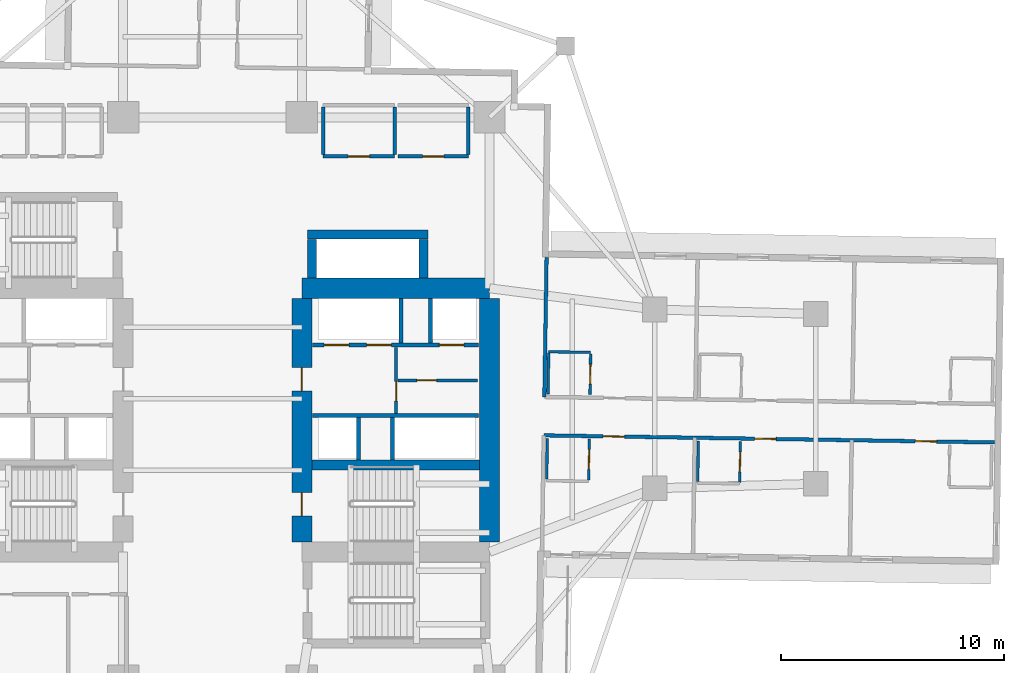
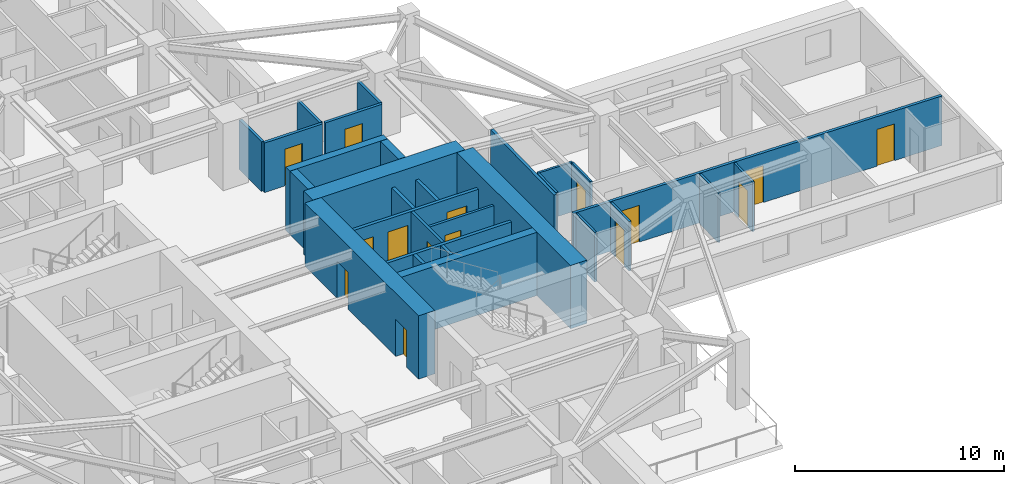
# One storey, part 6 of 13: 29 walls, 15 doors, 15 openings.
"""IFC4 building model written with IfcOpenShell, lengths in metres."""

from ifc_helpers import new_model, si_unit, direction, frame, frame_2d, origin, place, context, subcontext, project, spatial, rectangle, extrude, material, layer, layer_set, type_object, element, fill, save


model = new_model("IFC4")

# Units and contexts
model_context = context("Model", 3, precision=1e-05, world=origin(), true_north=direction((0.0, 1.0)))
body_context = subcontext(model_context, "Body", "Model", "MODEL_VIEW")
ifc_project = project(units=[si_unit("LENGTHUNIT", "METRE"), si_unit("AREAUNIT", "SQUARE_METRE"), si_unit("VOLUMEUNIT", "CUBIC_METRE"), si_unit("PLANEANGLEUNIT", "RADIAN"), si_unit("MASSUNIT", "GRAM", prefix="KILO")], contexts=[model_context])

# Site, building, storey
site_placement = place(None, origin())
site = spatial("IfcSite", under=ifc_project, at=site_placement, CompositionType="ELEMENT")
building_placement = place(site_placement, origin())
building = spatial("IfcBuilding", under=site, at=building_placement, Name="Qingluan Cross Belvedere", CompositionType="ELEMENT")
storey_placement = place(building_placement, frame((0.0, 0.0, 67.800048828125)))
storey = spatial("IfcBuildingStorey", under=building, at=storey_placement, Name="L17", CompositionType="ELEMENT", Elevation=67.800048828125)

# Walls
ifc_material_1 = material(Name="Concrete C50", Category="concrete")
ifc_layer_1 = layer(ifc_material_1, 0.449951171875, Name="CoreShearWall_450")
ifc_layer_set_1 = layer_set([ifc_layer_1], Name="Concrete C50")
wall_type_1 = type_object("IfcWallType", Name="CoreShearWall_450", PredefinedType="SHEAR", material=ifc_layer_set_1)
wall_1_placement = place(storey_placement, frame((4.455078125, -2.9599609375, 0.0), z_axis=(0.0, 0.0, 1.0), x_axis=(1.0, 0.0, 0.0)))
element("IfcWall", 1, at=wall_1_placement, inside=storey, type_object=wall_type_1, Name="Split core E shear wall L17-M", PredefinedType="SHEAR", context=body_context, shape_type="SweptSolid", body=[
    extrude(rectangle(XDim=7.489990234375, YDim=0.449951171875, at=frame_2d((3.7451171875, 0.0))), origin(), (0.0, 0.0, 1.0), 3.699951171875),
])
wall_2_placement = place(storey_placement, frame((4.449951171875, 5.405029296875, 0.0), z_axis=(0.0, 0.0, 1.0), x_axis=(0.0, 1.0, 0.0)))
element("IfcWall", 2, at=wall_2_placement, inside=storey, type_object=wall_type_1, Name="Express shuttle core wall L17-W", PredefinedType="SHEAR", context=body_context, shape_type="SweptSolid", body=[
    extrude(rectangle(XDim=1.73486328125, YDim=0.39990234375, at=frame_2d((0.867431640625, 0.0))), origin(), (0.0, 0.0, 1.0), 3.699951171875),
])
wall_3_placement = place(storey_placement, frame((4.25, 7.35009765625, 0.0), z_axis=(0.0, 0.0, 1.0), x_axis=(1.0, 0.0, 0.0)))
element("IfcWall", 3, at=wall_3_placement, inside=storey, type_object=wall_type_1, Name="Express shuttle core wall L17-N", PredefinedType="SHEAR", context=body_context, shape_type="SweptSolid", body=[
    extrude(rectangle(XDim=5.39990234375, YDim=0.39990234375, at=frame_2d((2.699951171875, 0.0))), origin(), (0.0, 0.0, 1.0), 3.699951171875),
])
wall_4_placement = place(storey_placement, frame((9.449951171875, 5.405029296875, 0.0), z_axis=(0.0, 0.0, 1.0), x_axis=(0.0, 1.0, 0.0)))
element("IfcWall", 4, at=wall_4_placement, inside=storey, type_object=wall_type_1, Name="Express shuttle core wall L17-E", PredefinedType="SHEAR", context=body_context, shape_type="SweptSolid", body=[
    extrude(rectangle(XDim=1.73486328125, YDim=0.39990234375, at=frame_2d((0.867431640625, 0.0))), origin(), (0.0, 0.0, 1.0), 3.699951171875),
])
ifc_material_2 = material(Name="Concrete C70", Category="concrete")
ifc_layer_2 = layer(ifc_material_2, 0.89990234375, Name="CoreShearWall_900")
ifc_layer_set_2 = layer_set([ifc_layer_2], Name="Concrete C70")
wall_type_2 = type_object("IfcWallType", Name="CoreShearWall_900", PredefinedType="SHEAR", material=ifc_layer_set_2)
wall_5_placement = place(storey_placement, frame((4.0, 4.949951171875, 0.0), z_axis=(0.0, 0.0, 1.0), x_axis=(1.0, 0.0, 0.0)))
element("IfcWall", 5, at=wall_5_placement, inside=storey, type_object=wall_type_2, Name="Split core E shear wall L17-N", PredefinedType="SHEAR", context=body_context, shape_type="SweptSolid", body=[
    extrude(rectangle(XDim=8.39990234375, YDim=0.89990234375, at=frame_2d((4.199951171875, 0.0))), origin(), (0.0, 0.0, 1.0), 3.699951171875),
])

# Wall, openings, doors
wall_6_placement = place(storey_placement, frame((4.0, -6.39501953125, 0.0), z_axis=(0.0, 0.0, 1.0), x_axis=(0.0, 1.0, 0.0)))
wall_6 = element("IfcWall", 6, at=wall_6_placement, inside=storey, type_object=wall_type_2, Name="Split core E shear wall L17-W", PredefinedType="SHEAR", context=body_context, shape_type="SweptSolid", body=[
    extrude(rectangle(XDim=10.89013671875, YDim=0.89990234375, at=frame_2d((5.445068359375, 0.0))), origin(), (0.0, 0.0, 1.0), 3.699951171875),
])
opening_1_placement = place(wall_6_placement, frame((1.14501953125, 0.0, 0.0)))
opening_1 = element("IfcOpeningElement", 7, at=opening_1_placement, cuts=wall_6, Name="Opening FD-B11", PredefinedType="OPENING", context=body_context, shape_type="SweptSolid", body=[
    extrude(rectangle(XDim=1.050048828125, YDim=2.14990234375, at=frame_2d((0.52490234375, 1.074951171875))), frame((0.0, 0.4599609375, 0.0), z_axis=(0.0, -1.0, 0.0), x_axis=(1.0, 0.0, 0.0)), (0.0, 0.0, 1.0), 0.919921875),
])
opening_2_placement = place(wall_6_placement, frame((6.7451171875, 0.0, 0.0)))
opening_2 = element("IfcOpeningElement", 8, at=opening_2_placement, cuts=wall_6, Name="Opening FD-B11", PredefinedType="OPENING", context=body_context, shape_type="SweptSolid", body=[
    extrude(rectangle(XDim=1.050048828125, YDim=2.14990234375, at=frame_2d((0.52490234375, 1.074951171875))), frame((0.0, 0.4599609375, 0.0), z_axis=(0.0, -1.0, 0.0), x_axis=(1.0, 0.0, 0.0)), (0.0, 0.0, 1.0), 0.919921875),
])
ifc_material_3 = material(Name="Steel Class B smoke-seal fire door", Category="steel")
door_type_1 = type_object("IfcDoorType", Name="StairLobbyFireDoor_FDB", OperationType="NOTDEFINED", PredefinedType="DOOR", material=ifc_material_3)
door_1_placement = place(opening_1_placement, origin())
door_1 = element("IfcDoor", 9, at=door_1_placement, inside=storey, type_object=door_type_1, Name="Smoke-proof stair ST2 fire door L17", OperationType="SINGLE_SWING_LEFT", OverallHeight=2.14990234375, OverallWidth=1.050048828125, PredefinedType="DOOR", context=body_context, shape_type="SweptSolid", body=[
    extrude(rectangle(XDim=1.050048828125, YDim=2.14990234375, at=frame_2d((0.52490234375, 1.074951171875))), frame((0.0, 0.02490234375, 0.0), z_axis=(0.0, -1.0, 0.0), x_axis=(1.0, 0.0, 0.0)), (0.0, 0.0, 1.0), 0.050048828125),
])
fill(opening_1, door_1)
door_2_placement = place(opening_2_placement, origin())
door_2 = element("IfcDoor", 10, at=door_2_placement, inside=storey, type_object=door_type_1, Name="Firefighting lobby East fire door L17", OperationType="SINGLE_SWING_LEFT", OverallHeight=2.14990234375, OverallWidth=1.050048828125, PredefinedType="DOOR", context=body_context, shape_type="SweptSolid", body=[
    extrude(rectangle(XDim=1.050048828125, YDim=2.14990234375, at=frame_2d((0.52490234375, 1.074951171875))), frame((0.0, 0.02490234375, 0.0), z_axis=(0.0, -1.0, 0.0), x_axis=(1.0, 0.0, 0.0)), (0.0, 0.0, 1.0), 0.050048828125),
])
fill(opening_2, door_2)

# Wall
wall_7_placement = place(storey_placement, frame((12.39990234375, -6.39501953125, 0.0), z_axis=(0.0, 0.0, 1.0), x_axis=(0.0, 1.0, 0.0)))
element("IfcWall", 11, at=wall_7_placement, inside=storey, type_object=wall_type_2, Name="Split core E shear wall L17-E", PredefinedType="SHEAR", context=body_context, shape_type="SweptSolid", body=[
    extrude(rectangle(XDim=10.89013671875, YDim=0.89990234375, at=frame_2d((5.445068359375, 0.0))), origin(), (0.0, 0.0, 1.0), 3.699951171875),
])

# Wall, opening, door
ifc_material_4 = material(Name="Gypsum plasterboard on steel stud acoustic partition", Category="steel")
ifc_layer_3 = layer(ifc_material_4, 0.159912109375, Name="CorridorPartition_160")
ifc_layer_set_3 = layer_set([ifc_layer_3], Name="Gypsum plasterboard on steel stud acoustic partition")
wall_type_3 = type_object("IfcWallType", Name="CorridorPartition_160", PredefinedType="PARTITIONING", material=ifc_layer_set_3)
wall_8_placement = place(storey_placement, frame((8.298095703125, 0.830078125, 0.0), z_axis=(0.0, 0.0, 1.0), x_axis=(1.0, 0.0, 0.0)))
wall_8 = element("IfcWall", 12, at=wall_8_placement, inside=storey, type_object=wall_type_3, Name="Partition L17:e", PredefinedType="PARTITIONING", context=body_context, shape_type="SweptSolid", body=[
    extrude(rectangle(XDim=3.552001953125, YDim=0.139892578125, at=frame_2d((1.77587890625, 0.0))), origin(), (0.0, 0.0, 1.0), 2.89990234375),
])
opening_3_placement = place(wall_8_placement, frame((0.85009765625, 0.0, 0.0)))
opening_3 = element("IfcOpeningElement", 13, at=opening_3_placement, cuts=wall_8, Name="Opening FD-B10", PredefinedType="OPENING", context=body_context, shape_type="SweptSolid", body=[
    extrude(rectangle(XDim=0.8798828125, YDim=2.10009765625, at=frame_2d((0.43994140625, 1.050048828125))), frame((0.0, 0.079833984375, 0.0), z_axis=(0.0, -1.0, 0.0), x_axis=(1.0, 0.0, 0.0)), (0.0, 0.0, 1.0), 0.159912109375),
])
ifc_material_5 = material(Name="Steel Class B service fire door", Category="steel")
door_type_2 = type_object("IfcDoorType", Name="RiserServiceFireDoor_FDB", OperationType="NOTDEFINED", PredefinedType="DOOR", material=ifc_material_5)
door_3_placement = place(opening_3_placement, origin())
door_3 = element("IfcDoor", 14, at=door_3_placement, inside=storey, type_object=door_type_2, Name="Service closet inner door L17", OperationType="SINGLE_SWING_LEFT", OverallHeight=2.10009765625, OverallWidth=0.8798828125, PredefinedType="DOOR", context=body_context, shape_type="SweptSolid", body=[
    extrude(rectangle(XDim=0.8798828125, YDim=2.10009765625, at=frame_2d((0.43994140625, 1.050048828125))), frame((0.0, 0.02490234375, 0.0), z_axis=(0.0, -1.0, 0.0), x_axis=(1.0, 0.0, 0.0)), (0.0, 0.0, 1.0), 0.050048828125),
])
fill(opening_3, door_3)

wall_9_placement = place(storey_placement, frame((4.949951171875, 10.85009765625, 0.0), z_axis=(0.0, 0.0, 1.0), x_axis=(1.0, 0.0, 0.0)))
wall_9 = element("IfcWall", 15, at=wall_9_placement, inside=storey, type_object=wall_type_3, Name="Partition L17:q_ne1:S", PredefinedType="PARTITIONING", context=body_context, shape_type="SweptSolid", body=[
    extrude(rectangle(XDim=3.199951171875, YDim=0.159912109375, at=frame_2d((1.60009765625, 0.0))), origin(), (0.0, 0.0, 1.0), 2.89990234375),
])
opening_4_placement = place(wall_9_placement, frame((1.1201171875, 0.0, 0.0)))
opening_4 = element("IfcOpeningElement", 16, at=opening_4_placement, cuts=wall_9, Name="Opening GD-10", PredefinedType="OPENING", context=body_context, shape_type="SweptSolid", body=[
    extrude(rectangle(XDim=0.9599609375, YDim=2.14990234375, at=frame_2d((0.47998046875, 1.074951171875))), frame((0.0, 0.08984375, 0.0), z_axis=(0.0, -1.0, 0.0), x_axis=(1.0, 0.0, 0.0)), (0.0, 0.0, 1.0), 0.179931640625),
])
ifc_material_6 = material(Name="Timber oak fire-rated acoustic guestroom door", Category="wood")
door_type_3 = type_object("IfcDoorType", Name="GuestEntryDoor_FD60", OperationType="NOTDEFINED", PredefinedType="DOOR", material=ifc_material_6)
door_4_placement = place(opening_4_placement, origin())
door_4 = element("IfcDoor", 17, at=door_4_placement, inside=storey, type_object=door_type_3, Name="Business conference room L17 door", OperationType="SINGLE_SWING_LEFT", OverallHeight=2.14990234375, OverallWidth=0.9599609375, PredefinedType="DOOR", context=body_context, shape_type="SweptSolid", body=[
    extrude(rectangle(XDim=0.9599609375, YDim=2.14990234375, at=frame_2d((0.47998046875, 1.074951171875))), frame((0.0, 0.02490234375, 0.0), z_axis=(0.0, -1.0, 0.0), x_axis=(1.0, 0.0, 0.0)), (0.0, 0.0, 1.0), 0.050048828125),
])
fill(opening_4, door_4)

# Walls
for number, where, z_axis, x_axis, name in (
    (18, (4.949951171875, 10.93505859375, 0.0), (0.0, 0.0, 1.0), (0.0, 1.0, 0.0), "Partition L17:q_ne1:W"),
    (19, (8.14990234375, 10.93505859375, 0.0), (0.0, 0.0, 1.0), (0.0, 1.0, 0.0), "Partition L17:q_ne1:E"),
):
    element("IfcWall", number, at=place(storey_placement, frame(where, z_axis=z_axis, x_axis=x_axis)), inside=storey, type_object=wall_type_3, Name=name, PredefinedType="PARTITIONING", context=body_context, shape_type="SweptSolid", body=[
        extrude(rectangle(XDim=2.1298828125, YDim=0.159912109375, at=frame_2d((1.06494140625, 0.0))), origin(), (0.0, 0.0, 1.0), 2.89990234375),
    ])

# Wall, opening, door
wall_10_placement = place(storey_placement, frame((8.31005859375, 10.85009765625, 0.0), z_axis=(0.0, 0.0, 1.0), x_axis=(1.0, 0.0, 0.0)))
wall_10 = element("IfcWall", 20, at=wall_10_placement, inside=storey, type_object=wall_type_3, Name="Partition L17:q_ne2:S", PredefinedType="PARTITIONING", context=body_context, shape_type="SweptSolid", body=[
    extrude(rectangle(XDim=3.139892578125, YDim=0.159912109375, at=frame_2d((1.56982421875, 0.0))), origin(), (0.0, 0.0, 1.0), 2.89990234375),
])
opening_5_placement = place(wall_10_placement, frame((1.090087890625, 0.0, 0.0)))
opening_5 = element("IfcOpeningElement", 21, at=opening_5_placement, cuts=wall_10, Name="Opening GD-10", PredefinedType="OPENING", context=body_context, shape_type="SweptSolid", body=[
    extrude(rectangle(XDim=0.9599609375, YDim=2.14990234375, at=frame_2d((0.47998046875, 1.074951171875))), frame((0.0, 0.08984375, 0.0), z_axis=(0.0, -1.0, 0.0), x_axis=(1.0, 0.0, 0.0)), (0.0, 0.0, 1.0), 0.179931640625),
])
door_5_placement = place(opening_5_placement, origin())
door_5 = element("IfcDoor", 22, at=door_5_placement, inside=storey, type_object=door_type_3, Name="Northeast quiet study L17 door", OperationType="SINGLE_SWING_RIGHT", OverallHeight=2.14990234375, OverallWidth=0.9599609375, PredefinedType="DOOR", context=body_context, shape_type="SweptSolid", body=[
    extrude(rectangle(XDim=0.9599609375, YDim=2.14990234375, at=frame_2d((0.47998046875, 1.074951171875))), frame((0.0, 0.02490234375, 0.0), z_axis=(0.0, -1.0, 0.0), x_axis=(1.0, 0.0, 0.0)), (0.0, 0.0, 1.0), 0.050048828125),
])
fill(opening_5, door_5)

# Walls
wall_11_placement = place(storey_placement, frame((11.449951171875, 10.93505859375, 0.0), z_axis=(0.0, 0.0, 1.0), x_axis=(0.0, 1.0, 0.0)))
element("IfcWall", 23, at=wall_11_placement, inside=storey, type_object=wall_type_3, Name="Partition L17:q_ne2:E", PredefinedType="PARTITIONING", context=body_context, shape_type="SweptSolid", body=[
    extrude(rectangle(XDim=2.1298828125, YDim=0.159912109375, at=frame_2d((1.06494140625, 0.0))), origin(), (0.0, 0.0, 1.0), 2.89990234375),
])
wall_12_placement = place(storey_placement, frame((14.853271484375, 0.086669921875, 0.0), z_axis=(0.0, 0.0, 1.0), x_axis=(0.015698123972, 0.99987677686, 0.0)))
element("IfcWall", 24, at=wall_12_placement, inside=storey, type_object=wall_type_3, Name="Partition L17:E:s0", PredefinedType="PARTITIONING", context=body_context, shape_type="SweptSolid", body=[
    extrude(rectangle(XDim=6.251953125, YDim=0.159912109375, at=frame_2d((3.1259765625, 0.0))), origin(), (0.0, 0.0, 1.0), 2.89990234375),
])

# Wall, openings, doors
wall_13_placement = place(storey_placement, frame((14.826171875, -1.633056640625, 0.0), z_axis=(0.0, 0.0, 1.0), x_axis=(0.999876527681, -0.015713987169, 0.0)))
wall_13 = element("IfcWall", 25, at=wall_13_placement, inside=storey, type_object=wall_type_3, Name="Partition L17:E:c1", PredefinedType="PARTITIONING", context=body_context, shape_type="SweptSolid", body=[
    extrude(rectangle(XDim=20.181884765625, YDim=0.159912109375, at=frame_2d((10.0908203125, 0.0))), origin(), (0.0, 0.0, 1.0), 2.89990234375),
])
opening_6_placement = place(wall_13_placement, frame((2.656005859375, 0.0, 0.0)))
opening_6 = element("IfcOpeningElement", 26, at=opening_6_placement, cuts=wall_13, Name="Opening GD-10", PredefinedType="OPENING", context=body_context, shape_type="SweptSolid", body=[
    extrude(rectangle(XDim=0.9599609375, YDim=2.14990234375, at=frame_2d((0.47998046875, 1.074951171875))), frame((0.0, 0.08984375, 0.0), z_axis=(0.0, -1.0, 0.0), x_axis=(1.0, 0.0, 0.0)), (0.0, 0.0, 1.0), 0.179931640625),
])
opening_7_placement = place(wall_13_placement, frame((9.44189453125, 0.0, 0.0)))
opening_7 = element("IfcOpeningElement", 27, at=opening_7_placement, cuts=wall_13, Name="Opening GD-10", PredefinedType="OPENING", context=body_context, shape_type="SweptSolid", body=[
    extrude(rectangle(XDim=0.9599609375, YDim=2.14990234375, at=frame_2d((0.47998046875, 1.074951171875))), frame((0.0, 0.08984375, 0.0), z_axis=(0.0, -1.0, 0.0), x_axis=(1.0, 0.0, 0.0)), (0.0, 0.0, 1.0), 0.179931640625),
])
opening_8_placement = place(wall_13_placement, frame((16.626953125, 0.0, 0.0)))
opening_8 = element("IfcOpeningElement", 28, at=opening_8_placement, cuts=wall_13, Name="Opening GD-10", PredefinedType="OPENING", context=body_context, shape_type="SweptSolid", body=[
    extrude(rectangle(XDim=0.9599609375, YDim=2.14990234375, at=frame_2d((0.47998046875, 1.074951171875))), frame((0.0, 0.08984375, 0.0), z_axis=(0.0, -1.0, 0.0), x_axis=(1.0, 0.0, 0.0)), (0.0, 0.0, 1.0), 0.179931640625),
])
door_6_placement = place(opening_6_placement, origin())
door_6 = element("IfcDoor", 29, at=door_6_placement, inside=storey, type_object=door_type_3, Name="Guest entry fire door 1704", OperationType="SINGLE_SWING_LEFT", OverallHeight=2.14990234375, OverallWidth=0.9599609375, PredefinedType="DOOR", context=body_context, shape_type="SweptSolid", body=[
    extrude(rectangle(XDim=0.9599609375, YDim=2.14990234375, at=frame_2d((0.47998046875, 1.074951171875))), frame((0.0, 0.02490234375, 0.0), z_axis=(0.0, -1.0, 0.0), x_axis=(1.0, 0.0, 0.0)), (0.0, 0.0, 1.0), 0.050048828125),
])
fill(opening_6, door_6)
door_7_placement = place(opening_7_placement, origin())
door_7 = element("IfcDoor", 30, at=door_7_placement, inside=storey, type_object=door_type_3, Name="Guest entry fire door 1705", OperationType="SINGLE_SWING_LEFT", OverallHeight=2.14990234375, OverallWidth=0.9599609375, PredefinedType="DOOR", context=body_context, shape_type="SweptSolid", body=[
    extrude(rectangle(XDim=0.9599609375, YDim=2.14990234375, at=frame_2d((0.47998046875, 1.074951171875))), frame((0.0, 0.02490234375, 0.0), z_axis=(0.0, -1.0, 0.0), x_axis=(1.0, 0.0, 0.0)), (0.0, 0.0, 1.0), 0.050048828125),
])
fill(opening_7, door_7)
door_8_placement = place(opening_8_placement, origin())
door_8 = element("IfcDoor", 31, at=door_8_placement, inside=storey, type_object=door_type_3, Name="Guest entry fire door 1706", OperationType="SINGLE_SWING_LEFT", OverallHeight=2.14990234375, OverallWidth=0.9599609375, PredefinedType="DOOR", context=body_context, shape_type="SweptSolid", body=[
    extrude(rectangle(XDim=0.9599609375, YDim=2.14990234375, at=frame_2d((0.47998046875, 1.074951171875))), frame((0.0, 0.02490234375, 0.0), z_axis=(0.0, -1.0, 0.0), x_axis=(1.0, 0.0, 0.0)), (0.0, 0.0, 1.0), 0.050048828125),
])
fill(opening_8, door_8)

# Wall, opening, door
ifc_material_7 = material(Name="Moisture-resistant gypsum board lining")
ifc_layer_4 = layer(ifc_material_7, 0.1201171875, Name="EnsuiteWetPartition_120")
ifc_layer_set_4 = layer_set([ifc_layer_4], Name="Moisture-resistant gypsum board lining")
wall_type_4 = type_object("IfcWallType", Name="EnsuiteWetPartition_120", PredefinedType="PARTITIONING", material=ifc_layer_set_4)
wall_14_placement = place(storey_placement, frame((16.89501953125, 0.194580078125, 0.0), z_axis=(0.0, 0.0, 1.0), x_axis=(0.015694337248, 0.999876836305, 0.0)))
wall_14 = element("IfcWall", 32, at=wall_14_placement, inside=storey, type_object=wall_type_4, Name="Partition L17:E:bs0_0", PredefinedType="PARTITIONING", context=body_context, shape_type="SweptSolid", body=[
    extrude(rectangle(XDim=1.820068359375, YDim=0.1201171875, at=frame_2d((0.91015625, 0.0))), origin(), (0.0, 0.0, 1.0), 2.89990234375),
])
opening_9_placement = place(wall_14_placement, frame((0.469970703125, 0.0, 0.0)))
opening_9 = element("IfcOpeningElement", 33, at=opening_9_placement, cuts=wall_14, Name="Opening BD-09", PredefinedType="OPENING", context=body_context, shape_type="SweptSolid", body=[
    extrude(rectangle(XDim=0.8798828125, YDim=2.10009765625, at=frame_2d((0.43994140625, 1.050048828125))), frame((0.0, 0.070068359375, 0.0), z_axis=(0.0, -1.0, 0.0), x_axis=(1.0, 0.0, 0.0)), (0.0, 0.0, 1.0), 0.14013671875),
])
ifc_material_8 = material(Name="Moisture-sealed timber en-suite door", Category="wood")
door_type_4 = type_object("IfcDoorType", Name="BathroomDoor_880", OperationType="NOTDEFINED", PredefinedType="DOOR", material=ifc_material_8)
door_9_placement = place(opening_9_placement, origin())
door_9 = element("IfcDoor", 34, at=door_9_placement, inside=storey, type_object=door_type_4, Name="Bathroom door 1701", OperationType="SINGLE_SWING_RIGHT", OverallHeight=2.10009765625, OverallWidth=0.8798828125, PredefinedType="DOOR", context=body_context, shape_type="SweptSolid", body=[
    extrude(rectangle(XDim=0.8798828125, YDim=2.10009765625, at=frame_2d((0.43994140625, 1.050048828125))), frame((0.0, 0.02490234375, 0.0), z_axis=(0.0, -1.0, 0.0), x_axis=(1.0, 0.0, 0.0)), (0.0, 0.0, 1.0), 0.050048828125),
])
fill(opening_9, door_9)

# Walls
wall_15_placement = place(storey_placement, frame((15.015380859375, 0.22412109375, 0.0), z_axis=(0.0, 0.0, 1.0), x_axis=(0.015694337248, 0.999876836305, 0.0)))
element("IfcWall", 35, at=wall_15_placement, inside=storey, type_object=wall_type_4, Name="Partition L17:E:bw0_0", PredefinedType="PARTITIONING", context=body_context, shape_type="SweptSolid", body=[
    extrude(rectangle(XDim=1.820068359375, YDim=0.1201171875, at=frame_2d((0.91015625, 0.0))), origin(), (0.0, 0.0, 1.0), 2.89990234375),
])
wall_16_placement = place(storey_placement, frame((15.044921875, 2.10888671875, 0.0), z_axis=(0.0, 0.0, 1.0), x_axis=(0.999876553475, -0.01571234584, 0.0)))
element("IfcWall", 36, at=wall_16_placement, inside=storey, type_object=wall_type_4, Name="Partition L17:E:bn0_0", PredefinedType="PARTITIONING", context=body_context, shape_type="SweptSolid", body=[
    extrude(rectangle(XDim=1.880126953125, YDim=0.1201171875, at=frame_2d((0.93994140625, 0.0))), origin(), (0.0, 0.0, 1.0), 2.89990234375),
])

# Wall, opening, door
wall_17_placement = place(storey_placement, frame((16.835205078125, -3.625, 0.0), z_axis=(0.0, 0.0, 1.0), x_axis=(0.015694337248, 0.999876836305, 0.0)))
wall_17 = element("IfcWall", 37, at=wall_17_placement, inside=storey, type_object=wall_type_4, Name="Partition L17:E:bs1_0", PredefinedType="PARTITIONING", context=body_context, shape_type="SweptSolid", body=[
    extrude(rectangle(XDim=1.820068359375, YDim=0.1201171875, at=frame_2d((0.91015625, 0.0))), origin(), (0.0, 0.0, 1.0), 2.89990234375),
])
opening_10_placement = place(wall_17_placement, frame((0.469970703125, 0.0, 0.0)))
opening_10 = element("IfcOpeningElement", 38, at=opening_10_placement, cuts=wall_17, Name="Opening BD-09", PredefinedType="OPENING", context=body_context, shape_type="SweptSolid", body=[
    extrude(rectangle(XDim=0.8798828125, YDim=2.10009765625, at=frame_2d((0.43994140625, 1.050048828125))), frame((0.0, 0.070068359375, 0.0), z_axis=(0.0, -1.0, 0.0), x_axis=(1.0, 0.0, 0.0)), (0.0, 0.0, 1.0), 0.14013671875),
])
door_10_placement = place(opening_10_placement, origin())
door_10 = element("IfcDoor", 39, at=door_10_placement, inside=storey, type_object=door_type_4, Name="Bathroom door 1704", OperationType="SINGLE_SWING_RIGHT", OverallHeight=2.10009765625, OverallWidth=0.8798828125, PredefinedType="DOOR", context=body_context, shape_type="SweptSolid", body=[
    extrude(rectangle(XDim=0.8798828125, YDim=2.10009765625, at=frame_2d((0.43994140625, 1.050048828125))), frame((0.0, 0.02490234375, 0.0), z_axis=(0.0, -1.0, 0.0), x_axis=(1.0, 0.0, 0.0)), (0.0, 0.0, 1.0), 0.050048828125),
])
fill(opening_10, door_10)

# Wall
wall_18_placement = place(storey_placement, frame((14.955322265625, -3.595458984375, 0.0), z_axis=(0.0, 0.0, 1.0), x_axis=(0.015694337248, 0.999876836305, 0.0)))
element("IfcWall", 40, at=wall_18_placement, inside=storey, type_object=wall_type_4, Name="Partition L17:E:bw1_0", PredefinedType="PARTITIONING", context=body_context, shape_type="SweptSolid", body=[
    extrude(rectangle(XDim=1.820068359375, YDim=0.1201171875, at=frame_2d((0.91015625, 0.0))), origin(), (0.0, 0.0, 1.0), 2.89990234375),
])

# Wall, opening, door
wall_19_placement = place(storey_placement, frame((23.59423828125, -3.731201171875, 0.0), z_axis=(0.0, 0.0, 1.0), x_axis=(0.015694337248, 0.999876836305, 0.0)))
wall_19 = element("IfcWall", 41, at=wall_19_placement, inside=storey, type_object=wall_type_4, Name="Partition L17:E:bs1_1", PredefinedType="PARTITIONING", context=body_context, shape_type="SweptSolid", body=[
    extrude(rectangle(XDim=1.820068359375, YDim=0.1201171875, at=frame_2d((0.91015625, 0.0))), origin(), (0.0, 0.0, 1.0), 2.89990234375),
])
opening_11_placement = place(wall_19_placement, frame((0.469970703125, 0.0, 0.0)))
opening_11 = element("IfcOpeningElement", 42, at=opening_11_placement, cuts=wall_19, Name="Opening BD-09", PredefinedType="OPENING", context=body_context, shape_type="SweptSolid", body=[
    extrude(rectangle(XDim=0.8798828125, YDim=2.10009765625, at=frame_2d((0.43994140625, 1.050048828125))), frame((0.0, 0.070068359375, 0.0), z_axis=(0.0, -1.0, 0.0), x_axis=(1.0, 0.0, 0.0)), (0.0, 0.0, 1.0), 0.14013671875),
])
door_11_placement = place(opening_11_placement, origin())
door_11 = element("IfcDoor", 43, at=door_11_placement, inside=storey, type_object=door_type_4, Name="Bathroom door 1705", OperationType="SINGLE_SWING_RIGHT", OverallHeight=2.10009765625, OverallWidth=0.8798828125, PredefinedType="DOOR", context=body_context, shape_type="SweptSolid", body=[
    extrude(rectangle(XDim=0.8798828125, YDim=2.10009765625, at=frame_2d((0.43994140625, 1.050048828125))), frame((0.0, 0.02490234375, 0.0), z_axis=(0.0, -1.0, 0.0), x_axis=(1.0, 0.0, 0.0)), (0.0, 0.0, 1.0), 0.050048828125),
])
fill(opening_11, door_11)

# Wall
wall_20_placement = place(storey_placement, frame((21.714599609375, -3.701416015625, 0.0), z_axis=(0.0, 0.0, 1.0), x_axis=(0.015696442504, 0.999876803258, 0.0)))
element("IfcWall", 44, at=wall_20_placement, inside=storey, type_object=wall_type_4, Name="Partition L17:E:bw1_1", PredefinedType="PARTITIONING", context=body_context, shape_type="SweptSolid", body=[
    extrude(rectangle(XDim=1.81982421875, YDim=0.1201171875, at=frame_2d((0.909912109375, 0.0))), origin(), (0.0, 0.0, 1.0), 2.89990234375),
])

# Wall, openings, doors
ifc_material_9 = material(Name="Concrete C40", Category="concrete")
ifc_layer_5 = layer(ifc_material_9, 0.219970703125, Name="ShaftEnclosureWall_250")
ifc_layer_set_5 = layer_set([ifc_layer_5], Name="Concrete C40")
wall_type_5 = type_object("IfcWallType", Name="ShaftEnclosureWall_250", PredefinedType="SOLIDWALL", material=ifc_layer_set_5)
wall_21_placement = place(storey_placement, frame((4.47998046875, 2.409912109375, 0.0), z_axis=(0.0, 0.0, 1.0), x_axis=(1.0, 0.0, 0.0)))
wall_21 = element("IfcWall", 45, at=wall_21_placement, inside=storey, type_object=wall_type_5, Name="Core-E north hoistway wall L17", PredefinedType="SOLIDWALL", context=body_context, shape_type="SweptSolid", body=[
    extrude(rectangle(XDim=7.419921875, YDim=0.179931640625, at=frame_2d((3.7099609375, 0.0))), origin(), (0.0, 0.0, 1.0), 2.89990234375),
])
opening_12_placement = place(wall_21_placement, frame((5.669921875, 0.0, 0.0)))
opening_12 = element("IfcOpeningElement", 46, at=opening_12_placement, cuts=wall_21, Name="Opening LD-11", PredefinedType="OPENING", context=body_context, shape_type="SweptSolid", body=[
    extrude(rectangle(XDim=1.10009765625, YDim=2.14990234375, at=frame_2d((0.550048828125, 1.074951171875))), frame((0.0, 0.099853515625, 0.0), z_axis=(0.0, -1.0, 0.0), x_axis=(1.0, 0.0, 0.0)), (0.0, 0.0, 1.0), 0.199951171875),
])
opening_13_placement = place(wall_21_placement, frame((0.52001953125, 0.0, 0.0)))
opening_13 = element("IfcOpeningElement", 47, at=opening_13_placement, cuts=wall_21, Name="Opening LD-11", PredefinedType="OPENING", context=body_context, shape_type="SweptSolid", body=[
    extrude(rectangle(XDim=1.10009765625, YDim=2.14990234375, at=frame_2d((0.550048828125, 1.074951171875))), frame((0.0, 0.099853515625, 0.0), z_axis=(0.0, -1.0, 0.0), x_axis=(1.0, 0.0, 0.0)), (0.0, 0.0, 1.0), 0.199951171875),
])
opening_14_placement = place(wall_21_placement, frame((2.419921875, 0.0, 0.0)))
opening_14 = element("IfcOpeningElement", 48, at=opening_14_placement, cuts=wall_21, Name="Opening LD-11", PredefinedType="OPENING", context=body_context, shape_type="SweptSolid", body=[
    extrude(rectangle(XDim=1.10009765625, YDim=2.14990234375, at=frame_2d((0.550048828125, 1.074951171875))), frame((0.0, 0.099853515625, 0.0), z_axis=(0.0, -1.0, 0.0), x_axis=(1.0, 0.0, 0.0)), (0.0, 0.0, 1.0), 0.199951171875),
])
ifc_material_10 = material(Name="Brushed stainless steel centre-opening lift landing door", Category="steel")
door_type_5 = type_object("IfcDoorType", Name="LiftLandingSlidingDoor_1100", OperationType="DOUBLE_DOOR_SLIDING", PredefinedType="DOOR", material=ifc_material_10)
door_12_placement = place(opening_12_placement, origin())
door_12 = element("IfcDoor", 49, at=door_12_placement, inside=storey, type_object=door_type_5, Name="Lift landing sliding door FL2 L17", OperationType="DOUBLE_DOOR_SLIDING", OverallHeight=2.14990234375, OverallWidth=1.10009765625, PredefinedType="DOOR", context=body_context, shape_type="SweptSolid", body=[
    extrude(rectangle(XDim=1.10009765625, YDim=2.14990234375, at=frame_2d((0.550048828125, 1.074951171875))), frame((0.0, 0.02490234375, 0.0), z_axis=(0.0, -1.0, 0.0), x_axis=(1.0, 0.0, 0.0)), (0.0, 0.0, 1.0), 0.050048828125),
])
fill(opening_12, door_12)
door_13_placement = place(opening_13_placement, origin())
door_13 = element("IfcDoor", 50, at=door_13_placement, inside=storey, type_object=door_type_5, Name="Lift landing sliding door LP3 L17", OperationType="DOUBLE_DOOR_SLIDING", OverallHeight=2.14990234375, OverallWidth=1.10009765625, PredefinedType="DOOR", context=body_context, shape_type="SweptSolid", body=[
    extrude(rectangle(XDim=1.10009765625, YDim=2.14990234375, at=frame_2d((0.550048828125, 1.074951171875))), frame((0.0, 0.02490234375, 0.0), z_axis=(0.0, -1.0, 0.0), x_axis=(1.0, 0.0, 0.0)), (0.0, 0.0, 1.0), 0.050048828125),
])
fill(opening_13, door_13)
door_14_placement = place(opening_14_placement, origin())
door_14 = element("IfcDoor", 51, at=door_14_placement, inside=storey, type_object=door_type_5, Name="Lift landing sliding door LP4 L17", OperationType="DOUBLE_DOOR_SLIDING", OverallHeight=2.14990234375, OverallWidth=1.10009765625, PredefinedType="DOOR", context=body_context, shape_type="SweptSolid", body=[
    extrude(rectangle(XDim=1.10009765625, YDim=2.14990234375, at=frame_2d((0.550048828125, 1.074951171875))), frame((0.0, 0.02490234375, 0.0), z_axis=(0.0, -1.0, 0.0), x_axis=(1.0, 0.0, 0.0)), (0.0, 0.0, 1.0), 0.050048828125),
])
fill(opening_14, door_14)

# Walls
wall_22_placement = place(storey_placement, frame((4.47998046875, -0.75, 0.0), z_axis=(0.0, 0.0, 1.0), x_axis=(1.0, 0.0, 0.0)))
element("IfcWall", 52, at=wall_22_placement, inside=storey, type_object=wall_type_5, Name="Core-E mid hoistway wall L17", PredefinedType="SOLIDWALL", context=body_context, shape_type="SweptSolid", body=[
    extrude(rectangle(XDim=7.419921875, YDim=0.179931640625, at=frame_2d((3.7099609375, 0.0))), origin(), (0.0, 0.0, 1.0), 2.89990234375),
])
for number, where, z_axis, x_axis, name in (
    (53, (8.43994140625, 2.5, 0.0), (0.0, 0.0, 1.0), (0.0, 1.0, 0.0), "Hoistway enclosure divider LP4E L17"),
    (54, (9.760009765625, 2.5, 0.0), (0.0, 0.0, 1.0), (0.0, 1.0, 0.0), "Hoistway enclosure divider FL2W L17"),
):
    element("IfcWall", number, at=place(storey_placement, frame(where, z_axis=z_axis, x_axis=x_axis)), inside=storey, type_object=wall_type_5, Name=name, PredefinedType="SOLIDWALL", context=body_context, shape_type="SweptSolid", body=[
        extrude(rectangle(XDim=1.989990234375, YDim=0.179931640625, at=frame_2d((0.9951171875, 0.0))), origin(), (0.0, 0.0, 1.0), 2.89990234375),
    ])
for number, where, z_axis, x_axis, name in (
    (55, (6.5400390625, -2.72998046875, 0.0), (0.0, 0.0, 1.0), (0.0, 1.0, 0.0), "Hoistway enclosure divider LP7E L17"),
    (56, (8.06005859375, -2.72998046875, 0.0), (0.0, 0.0, 1.0), (0.0, 1.0, 0.0), "Hoistway enclosure divider LP9W L17"),
):
    element("IfcWall", number, at=place(storey_placement, frame(where, z_axis=z_axis, x_axis=x_axis)), inside=storey, type_object=wall_type_5, Name=name, PredefinedType="SOLIDWALL", context=body_context, shape_type="SweptSolid", body=[
        extrude(rectangle(XDim=1.889892578125, YDim=0.179931640625, at=frame_2d((0.94482421875, 0.0))), origin(), (0.0, 0.0, 1.0), 2.89990234375),
    ])

# Wall, opening, door
wall_23_placement = place(storey_placement, frame((8.219970703125, -0.64990234375, 0.0), z_axis=(0.0, 0.0, 1.0), x_axis=(0.0, 1.0, 0.0)))
wall_23 = element("IfcWall", 57, at=wall_23_placement, inside=storey, type_object=wall_type_5, Name="Core-E service corridor wall L17", PredefinedType="SOLIDWALL", context=body_context, shape_type="SweptSolid", body=[
    extrude(rectangle(XDim=2.9599609375, YDim=0.139892578125, at=frame_2d((1.47998046875, 0.0))), origin(), (0.0, 0.0, 1.0), 2.89990234375),
])
opening_15_placement = place(wall_23_placement, frame((0.550048828125, 0.0, 0.0)))
opening_15 = element("IfcOpeningElement", 58, at=opening_15_placement, cuts=wall_23, Name="Opening FD-B10", PredefinedType="OPENING", context=body_context, shape_type="SweptSolid", body=[
    extrude(rectangle(XDim=0.8798828125, YDim=2.10009765625, at=frame_2d((0.43994140625, 1.050048828125))), frame((0.0, 0.079833984375, 0.0), z_axis=(0.0, -1.0, 0.0), x_axis=(1.0, 0.0, 0.0)), (0.0, 0.0, 1.0), 0.159912109375),
])
door_15_placement = place(opening_15_placement, origin())
door_15 = element("IfcDoor", 59, at=door_15_placement, inside=storey, type_object=door_type_2, Name="Core-E service room door L17", OperationType="SINGLE_SWING_LEFT", OverallHeight=2.10009765625, OverallWidth=0.8798828125, PredefinedType="DOOR", context=body_context, shape_type="SweptSolid", body=[
    extrude(rectangle(XDim=0.8798828125, YDim=2.10009765625, at=frame_2d((0.43994140625, 1.050048828125))), frame((0.0, 0.02490234375, 0.0), z_axis=(0.0, -1.0, 0.0), x_axis=(1.0, 0.0, 0.0)), (0.0, 0.0, 1.0), 0.050048828125),
])
fill(opening_15, door_15)

save(model, "model.ifc")
